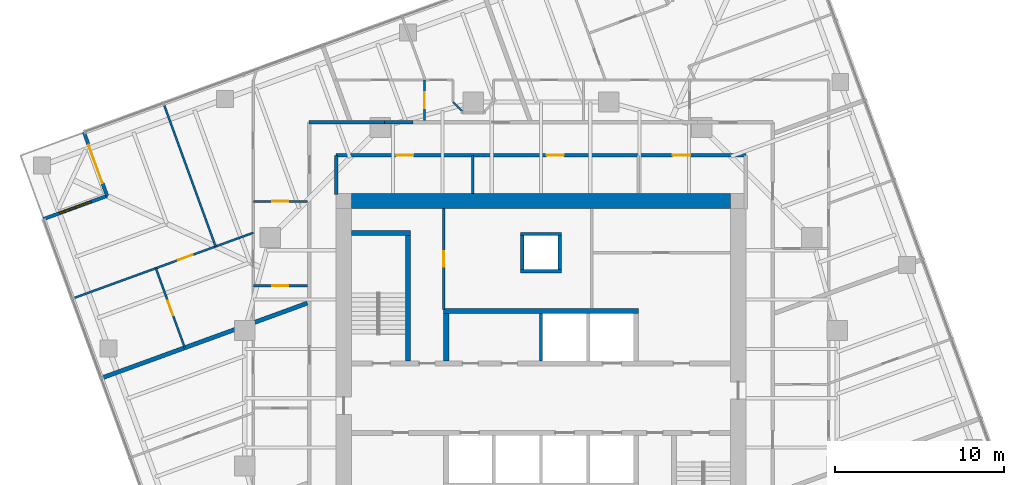
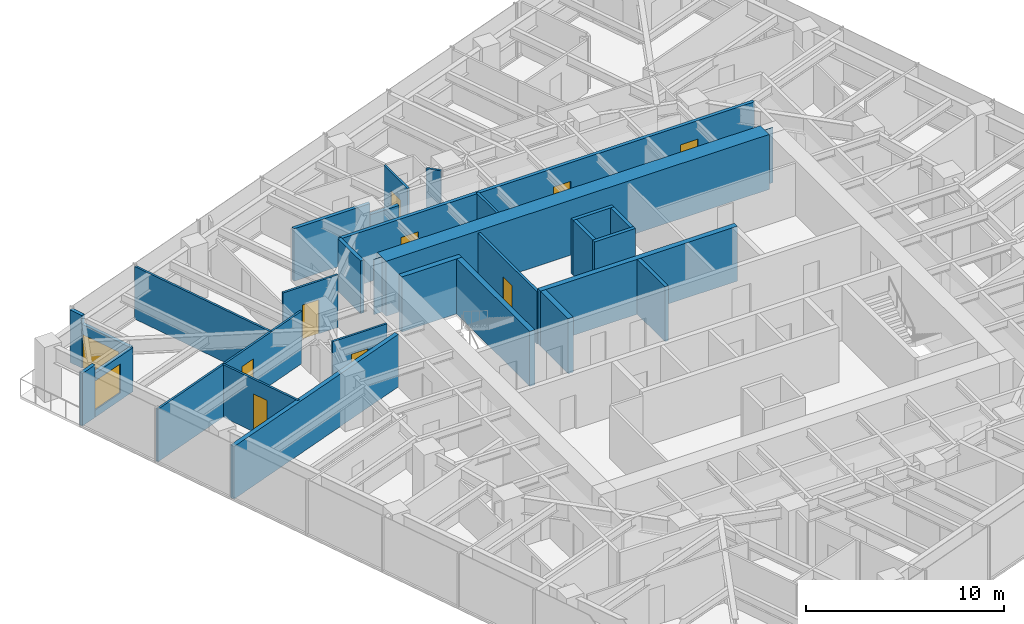
# One storey, part 10 of 13: 28 walls, 10 doors, 1 window, 11 openings.
"""IFC4 building model written with IfcOpenShell, lengths in metres."""

from ifc_helpers import new_model, si_unit, direction, frame, frame_2d, origin, place, context, subcontext, project, spatial, polyline, rectangle, outline, extrude, material, layer, layer_set, type_object, element, fill, save


model = new_model("IFC4")

# Units and contexts
model_context = context("Model", 3, precision=1e-05, world=origin(), true_north=direction((0.0, 1.0)))
body_context = subcontext(model_context, "Body", "Model", "MODEL_VIEW")
ifc_project = project(units=[si_unit("LENGTHUNIT", "METRE"), si_unit("AREAUNIT", "SQUARE_METRE"), si_unit("VOLUMEUNIT", "CUBIC_METRE"), si_unit("PLANEANGLEUNIT", "RADIAN"), si_unit("MASSUNIT", "GRAM", prefix="KILO")], contexts=[model_context])

# Site, building, storey
site_placement = place(None, origin())
site = spatial("IfcSite", under=ifc_project, at=site_placement, CompositionType="ELEMENT")
building_placement = place(site_placement, origin())
building = spatial("IfcBuilding", under=site, at=building_placement, Name="Torsade Residences", CompositionType="ELEMENT")
storey_placement = place(building_placement, frame((0.0, 0.0, 143.800048828125)))
storey = spatial("IfcBuildingStorey", under=building, at=storey_placement, Name="L39", CompositionType="ELEMENT", Elevation=143.800048828125)

# Walls
ifc_material_1 = material(Name="Concrete 80 MPa", Category="concrete")
ifc_layer_1 = layer(ifc_material_1, 0.300048828125)
ifc_layer_set_1 = layer_set([ifc_layer_1], Name="Concrete 80 MPa")
wall_type_1 = type_object("IfcWallType", Name="CORE INTERNAL WALL 300", PredefinedType="SHEAR", material=ifc_layer_set_1)
wall_1_placement = place(storey_placement, frame((34.25, 35.14990234375, 0.0), z_axis=(0.0, 0.0, 1.0), x_axis=(1.0, 0.0, 0.0)))
element("IfcWall", 1, at=wall_1_placement, inside=storey, type_object=wall_type_1, Name="Core wall BN L39", PredefinedType="SHEAR", context=body_context, shape_type="SweptSolid", body=[
    extrude(rectangle(XDim=11.5, YDim=0.300048828125, at=frame_2d((5.75, 0.0))), origin(), (0.0, 0.0, 1.0), 3.39990234375),
])
wall_2_placement = place(storey_placement, frame((34.39990234375, 32.199951171875, 0.0), z_axis=(0.0, 0.0, 1.0), x_axis=(0.0, 1.0, 0.0)))
element("IfcWall", 2, at=wall_2_placement, inside=storey, type_object=wall_type_1, Name="Core wall DN0 L39", PredefinedType="SHEAR", context=body_context, shape_type="SweptSolid", body=[
    extrude(rectangle(XDim=2.800048828125, YDim=0.300048828125, at=frame_2d((1.39990234375, 0.0))), origin(), (0.0, 0.0, 1.0), 3.39990234375),
])
wall_3_placement = place(storey_placement, frame((32.14990234375, 32.199951171875, 0.0), z_axis=(0.0, 0.0, 1.0), x_axis=(0.0, 1.0, 0.0)))
element("IfcWall", 3, at=wall_3_placement, inside=storey, type_object=wall_type_1, Name="Core wall ST1E L39", PredefinedType="SHEAR", context=body_context, shape_type="SweptSolid", body=[
    extrude(rectangle(XDim=7.699951171875, YDim=0.300048828125, at=frame_2d((3.85009765625, 0.0))), origin(), (0.0, 0.0, 1.0), 3.39990234375),
])
wall_4_placement = place(storey_placement, frame((28.800048828125, 39.75, 0.0), z_axis=(0.0, 0.0, 1.0), x_axis=(1.0, 0.0, 0.0)))
element("IfcWall", 4, at=wall_4_placement, inside=storey, type_object=wall_type_1, Name="Core wall ST1N L39", PredefinedType="SHEAR", context=body_context, shape_type="SweptSolid", body=[
    extrude(rectangle(XDim=3.5, YDim=0.300048828125, at=frame_2d((1.75, 0.0))), origin(), (0.0, 0.0, 1.0), 3.39990234375),
])
ifc_material_2 = material(Name="Concrete 80 MPa", Category="concrete")
ifc_layer_2 = layer(ifc_material_2, 0.89990234375)
ifc_layer_set_2 = layer_set([ifc_layer_2], Name="Concrete 80 MPa")
wall_type_2 = type_object("IfcWallType", Name="CORE WALL 900", PredefinedType="SHEAR", material=ifc_layer_set_2)
wall_5_placement = place(storey_placement, frame((28.800048828125, 41.64990234375, 0.0), z_axis=(0.0, 0.0, 1.0), x_axis=(1.0, 0.0, 0.0)))
element("IfcWall", 5, at=wall_5_placement, inside=storey, type_object=wall_type_2, Name="Core wall N L39", PredefinedType="SHEAR", context=body_context, shape_type="SweptSolid", body=[
    extrude(outline(polyline([(0.0, -0.449951171875), (22.39990234375, -0.449951171875), (22.39990234375, -0.02490234375), (22.849853515625, -0.02490234375), (22.849853515625, 0.02490234375), (22.39990234375, 0.02490234375), (22.39990234375, 0.449951171875), (0.0, 0.449951171875), (0.0, 0.02490234375), (-0.449951171875, 0.02490234375), (-0.449951171875, -0.02490234375), (0.0, -0.02490234375), (0.0, -0.449951171875)])), origin(), (0.0, 0.0, 1.0), 3.39990234375),
])
ifc_material_3 = material(Name="Plasterboard on steel stud", Category="steel")
ifc_layer_3 = layer(ifc_material_3, 0.199951171875)
ifc_layer_set_3 = layer_set([ifc_layer_3], Name="Plasterboard on steel stud")
wall_type_3 = type_object("IfcWallType", Name="CORRIDOR WALL 200", PredefinedType="PARTITIONING", material=ifc_layer_set_3)
wall_6_placement = place(storey_placement, frame((32.441650390625, 46.300048828125, 0.0), z_axis=(0.0, 0.0, 1.0), x_axis=(-1.0, 0.0, 0.0)))
element("IfcWall", 6, at=wall_6_placement, inside=storey, type_object=wall_type_3, Name="Corridor wall L39", PredefinedType="PARTITIONING", context=body_context, shape_type="SweptSolid", body=[
    extrude(rectangle(XDim=1.683349609375, YDim=0.199951171875, at=frame_2d((0.841796875, 0.0))), origin(), (0.0, 0.0, 1.0), 2.550048828125),
])
wall_7_placement = place(storey_placement, frame((30.75830078125, 46.300048828125, 0.0), z_axis=(0.0, 0.0, 1.0), x_axis=(-1.0, 0.0, 0.0)))
element("IfcWall", 7, at=wall_7_placement, inside=storey, type_object=wall_type_3, Name="Corridor wall L39", PredefinedType="PARTITIONING", context=body_context, shape_type="SweptSolid", body=[
    extrude(rectangle(XDim=4.458251953125, YDim=0.199951171875, at=frame_2d((2.22900390625, 0.0))), origin(), (0.0, 0.0, 1.0), 3.25),
])

# Wall, openings, doors
wall_8_placement = place(storey_placement, frame((52.10009765625, 44.35009765625, 0.0), z_axis=(0.0, 0.0, 1.0), x_axis=(-1.0, 0.0, 0.0)))
wall_8 = element("IfcWall", 8, at=wall_8_placement, inside=storey, type_object=wall_type_3, Name="Corridor wall L39", PredefinedType="PARTITIONING", context=body_context, shape_type="SweptSolid", body=[
    extrude(rectangle(XDim=24.2001953125, YDim=0.199951171875, at=frame_2d((12.10009765625, 0.0))), origin(), (0.0, 0.0, 1.0), 3.25),
])
opening_1_placement = place(wall_8_placement, frame((10.742919921875, 0.0, 0.0)))
opening_1 = element("IfcOpeningElement", 9, at=opening_1_placement, cuts=wall_8, Name="Opening D03", PredefinedType="OPENING", context=body_context, shape_type="SweptSolid", body=[
    extrude(rectangle(XDim=1.02001953125, YDim=2.10009765625, at=frame_2d((0.510009765625, 1.050048828125))), frame((0.0, 0.10986328125, 0.0), z_axis=(0.0, -1.0, 0.0), x_axis=(1.0, 0.0, 0.0)), (0.0, 0.0, 1.0), 0.219970703125),
])
opening_2_placement = place(wall_8_placement, frame((19.6357421875, 0.0, 0.0)))
opening_2 = element("IfcOpeningElement", 10, at=opening_2_placement, cuts=wall_8, Name="Opening D03", PredefinedType="OPENING", context=body_context, shape_type="SweptSolid", body=[
    extrude(rectangle(XDim=1.02001953125, YDim=2.10009765625, at=frame_2d((0.510009765625, 1.050048828125))), frame((0.0, 0.10986328125, 0.0), z_axis=(0.0, -1.0, 0.0), x_axis=(1.0, 0.0, 0.0)), (0.0, 0.0, 1.0), 0.219970703125),
])
opening_3_placement = place(wall_8_placement, frame((3.29736328125, 0.0, 0.0)))
opening_3 = element("IfcOpeningElement", 11, at=opening_3_placement, cuts=wall_8, Name="Opening D03", PredefinedType="OPENING", context=body_context, shape_type="SweptSolid", body=[
    extrude(rectangle(XDim=1.02001953125, YDim=2.10009765625, at=frame_2d((0.510009765625, 1.050048828125))), frame((0.0, 0.10986328125, 0.0), z_axis=(0.0, -1.0, 0.0), x_axis=(1.0, 0.0, 0.0)), (0.0, 0.0, 1.0), 0.219970703125),
])
ifc_material_4 = material(Name="Steel-framed fire door", Category="steel")
door_type_1 = type_object("IfcDoorType", Name="FIRE DOOR 1020", OperationType="NOTDEFINED", PredefinedType="DOOR", material=ifc_material_4)
door_1_placement = place(opening_1_placement, origin())
door_1 = element("IfcDoor", 12, at=door_1_placement, inside=storey, type_object=door_type_1, Name="Door Residential corridor to Residents storage", OperationType="SINGLE_SWING_LEFT", OverallHeight=2.10009765625, OverallWidth=1.02001953125, PredefinedType="DOOR", context=body_context, shape_type="SweptSolid", body=[
    extrude(rectangle(XDim=1.02001953125, YDim=2.10009765625, at=frame_2d((0.510009765625, 1.050048828125))), frame((0.0, 0.02490234375, 0.0), z_axis=(0.0, -1.0, 0.0), x_axis=(1.0, 0.0, 0.0)), (0.0, 0.0, 1.0), 0.050048828125),
])
fill(opening_1, door_1)
door_2_placement = place(opening_2_placement, origin())
door_2 = element("IfcDoor", 13, at=door_2_placement, inside=storey, type_object=door_type_1, Name="Door Residential corridor to Bulk store", OperationType="SINGLE_SWING_LEFT", OverallHeight=2.10009765625, OverallWidth=1.02001953125, PredefinedType="DOOR", context=body_context, shape_type="SweptSolid", body=[
    extrude(rectangle(XDim=1.02001953125, YDim=2.10009765625, at=frame_2d((0.510009765625, 1.050048828125))), frame((0.0, 0.02490234375, 0.0), z_axis=(0.0, -1.0, 0.0), x_axis=(1.0, 0.0, 0.0)), (0.0, 0.0, 1.0), 0.050048828125),
])
fill(opening_2, door_2)
door_3_placement = place(opening_3_placement, origin())
door_3 = element("IfcDoor", 14, at=door_3_placement, inside=storey, type_object=door_type_1, Name="Door Residential corridor to Parcel room", OperationType="SINGLE_SWING_RIGHT", OverallHeight=2.10009765625, OverallWidth=1.02001953125, PredefinedType="DOOR", context=body_context, shape_type="SweptSolid", body=[
    extrude(rectangle(XDim=1.02001953125, YDim=2.10009765625, at=frame_2d((0.510009765625, 1.050048828125))), frame((0.0, 0.02490234375, 0.0), z_axis=(0.0, -1.0, 0.0), x_axis=(1.0, 0.0, 0.0)), (0.0, 0.0, 1.0), 0.050048828125),
])
fill(opening_3, door_3)

# Walls
wall_9_placement = place(storey_placement, frame((27.89990234375, 44.35009765625, 0.0), z_axis=(0.0, 0.0, 1.0), x_axis=(0.0, -1.0, 0.0)))
element("IfcWall", 15, at=wall_9_placement, inside=storey, type_object=wall_type_3, Name="Corridor wall L39", PredefinedType="PARTITIONING", context=body_context, shape_type="SweptSolid", body=[
    extrude(rectangle(XDim=2.300048828125, YDim=0.199951171875, at=frame_2d((1.14990234375, 0.0))), origin(), (0.0, 0.0, 1.0), 3.25),
])
ifc_material_5 = material(Name="Reinforced blockwork", Category="masonry")
ifc_layer_4 = layer(ifc_material_5, 0.199951171875)
ifc_layer_set_4 = layer_set([ifc_layer_4], Name="Reinforced blockwork")
wall_type_4 = type_object("IfcWallType", Name="LIFT SHAFT DIVIDING WALL 200", PredefinedType="SOLIDWALL", material=ifc_layer_set_4)
wall_10_placement = place(storey_placement, frame((40.0, 32.199951171875, 0.0), z_axis=(0.0, 0.0, 1.0), x_axis=(0.0, 1.0, 0.0)))
element("IfcWall", 16, at=wall_10_placement, inside=storey, type_object=wall_type_4, Name="Core wall DN2 L39", PredefinedType="SOLIDWALL", context=body_context, shape_type="SweptSolid", body=[
    extrude(rectangle(XDim=2.800048828125, YDim=0.199951171875, at=frame_2d((1.39990234375, 0.0))), origin(), (0.0, 0.0, 1.0), 3.39990234375),
])
ifc_material_6 = material(Name="Plasterboard on steel stud", Category="steel")
ifc_layer_5 = layer(ifc_material_6, 0.1201171875)
ifc_layer_set_5 = layer_set([ifc_layer_5], Name="Plasterboard on steel stud")
wall_type_5 = type_object("IfcWallType", Name="PARTITION 120", PredefinedType="PARTITIONING", material=ifc_layer_set_5)
wall_11_placement = place(storey_placement, frame((34.800048828125, 47.5, 0.0), z_axis=(0.0, 0.0, 1.0), x_axis=(0.707106781187, -0.707106781187, 0.0)))
element("IfcWall", 17, at=wall_11_placement, inside=storey, type_object=wall_type_5, Name="Partition L39", PredefinedType="PARTITIONING", context=body_context, shape_type="SweptSolid", body=[
    extrude(rectangle(XDim=0.77783203125, YDim=0.1201171875, at=frame_2d((0.388916015625, 0.0))), origin(), (0.0, 0.0, 1.0), 3.25),
])

# Wall, opening, door
wall_12_placement = place(storey_placement, frame((33.111572265625, 46.39990234375, 0.0), z_axis=(0.0, 0.0, 1.0), x_axis=(0.0, 1.0, 0.0)))
wall_12 = element("IfcWall", 18, at=wall_12_placement, inside=storey, type_object=wall_type_5, Name="Partition L39", PredefinedType="PARTITIONING", context=body_context, shape_type="SweptSolid", body=[
    extrude(rectangle(XDim=2.400146484375, YDim=0.1201171875, at=frame_2d((1.2001953125, 0.0))), origin(), (0.0, 0.0, 1.0), 3.25),
])
opening_4_placement = place(wall_12_placement, frame((0.719970703125, 0.0, 0.0)))
opening_4 = element("IfcOpeningElement", 19, at=opening_4_placement, cuts=wall_12, Name="Opening D05", PredefinedType="OPENING", context=body_context, shape_type="SweptSolid", body=[
    extrude(rectangle(XDim=0.9599609375, YDim=2.10009765625, at=frame_2d((0.47998046875, 1.050048828125))), frame((0.0, 0.070068359375, 0.0), z_axis=(0.0, -1.0, 0.0), x_axis=(1.0, 0.0, 0.0)), (0.0, 0.0, 1.0), 0.14013671875),
])
ifc_material_7 = material(Name="Hollow-core timber door in a steel cavity frame", Category="steel")
door_type_2 = type_object("IfcDoorType", Name="BATHROOM CAVITY SLIDING DOOR 960", OperationType="SLIDING_TO_LEFT", PredefinedType="DOOR", material=ifc_material_7)
door_4_placement = place(opening_4_placement, origin())
door_4 = element("IfcDoor", 20, at=door_4_placement, inside=storey, type_object=door_type_2, Name="Door Kitchen and dining to Bathroom", OperationType="SLIDING_TO_LEFT", OverallHeight=2.10009765625, OverallWidth=0.9599609375, PredefinedType="DOOR", context=body_context, shape_type="SweptSolid", body=[
    extrude(rectangle(XDim=0.9599609375, YDim=2.10009765625, at=frame_2d((0.47998046875, 1.050048828125))), frame((0.0, 0.02490234375, 0.0), z_axis=(0.0, -1.0, 0.0), x_axis=(1.0, 0.0, 0.0)), (0.0, 0.0, 1.0), 0.050048828125),
])
fill(opening_4, door_4)

wall_13_placement = place(storey_placement, frame((26.199951171875, 41.633544921875, 0.0), z_axis=(0.0, 0.0, 1.0), x_axis=(-1.0, 0.0, 0.0)))
wall_13 = element("IfcWall", 21, at=wall_13_placement, inside=storey, type_object=wall_type_5, Name="Partition L39", PredefinedType="PARTITIONING", context=body_context, shape_type="SweptSolid", body=[
    extrude(rectangle(XDim=3.199951171875, YDim=0.1201171875, at=frame_2d((1.60009765625, 0.0))), origin(), (0.0, 0.0, 1.0), 3.25),
])
opening_5_placement = place(wall_13_placement, frame((1.1201171875, 0.0, 0.0)))
opening_5 = element("IfcOpeningElement", 22, at=opening_5_placement, cuts=wall_13, Name="Opening D05", PredefinedType="OPENING", context=body_context, shape_type="SweptSolid", body=[
    extrude(rectangle(XDim=0.9599609375, YDim=2.10009765625, at=frame_2d((0.47998046875, 1.050048828125))), frame((0.0, 0.070068359375, 0.0), z_axis=(0.0, -1.0, 0.0), x_axis=(1.0, 0.0, 0.0)), (0.0, 0.0, 1.0), 0.14013671875),
])
door_5_placement = place(opening_5_placement, origin())
door_5 = element("IfcDoor", 23, at=door_5_placement, inside=storey, type_object=door_type_2, Name="Door Kitchen and dining to Bathroom", OperationType="SLIDING_TO_LEFT", OverallHeight=2.10009765625, OverallWidth=0.9599609375, PredefinedType="DOOR", context=body_context, shape_type="SweptSolid", body=[
    extrude(rectangle(XDim=0.9599609375, YDim=2.10009765625, at=frame_2d((0.47998046875, 1.050048828125))), frame((0.0, 0.02490234375, 0.0), z_axis=(0.0, -1.0, 0.0), x_axis=(1.0, 0.0, 0.0)), (0.0, 0.0, 1.0), 0.050048828125),
])
fill(opening_5, door_5)

wall_14_placement = place(storey_placement, frame((26.199951171875, 36.64453125, 0.0), z_axis=(0.0, 0.0, 1.0), x_axis=(-1.0, 0.0, 0.0)))
wall_14 = element("IfcWall", 24, at=wall_14_placement, inside=storey, type_object=wall_type_5, Name="Partition L39", PredefinedType="PARTITIONING", context=body_context, shape_type="SweptSolid", body=[
    extrude(rectangle(XDim=3.199951171875, YDim=0.1201171875, at=frame_2d((1.60009765625, 0.0))), origin(), (0.0, 0.0, 1.0), 3.25),
])
opening_6_placement = place(wall_14_placement, frame((1.1201171875, 0.0, 0.0)))
opening_6 = element("IfcOpeningElement", 25, at=opening_6_placement, cuts=wall_14, Name="Opening D05", PredefinedType="OPENING", context=body_context, shape_type="SweptSolid", body=[
    extrude(rectangle(XDim=0.9599609375, YDim=2.10009765625, at=frame_2d((0.47998046875, 1.050048828125))), frame((0.0, 0.070068359375, 0.0), z_axis=(0.0, -1.0, 0.0), x_axis=(1.0, 0.0, 0.0)), (0.0, 0.0, 1.0), 0.14013671875),
])
door_6_placement = place(opening_6_placement, origin())
door_6 = element("IfcDoor", 26, at=door_6_placement, inside=storey, type_object=door_type_2, Name="Door Bathroom to Ensuite", OperationType="SLIDING_TO_LEFT", OverallHeight=2.10009765625, OverallWidth=0.9599609375, PredefinedType="DOOR", context=body_context, shape_type="SweptSolid", body=[
    extrude(rectangle(XDim=0.9599609375, YDim=2.10009765625, at=frame_2d((0.47998046875, 1.050048828125))), frame((0.0, 0.02490234375, 0.0), z_axis=(0.0, -1.0, 0.0), x_axis=(1.0, 0.0, 0.0)), (0.0, 0.0, 1.0), 0.050048828125),
])
fill(opening_6, door_6)

# Wall
wall_15_placement = place(storey_placement, frame((17.709716796875, 47.384765625, 0.0), z_axis=(0.0, 0.0, 1.0), x_axis=(0.342038393654, -0.939685978009, 0.0)))
element("IfcWall", 27, at=wall_15_placement, inside=storey, type_object=wall_type_5, Name="Partition L39", PredefinedType="PARTITIONING", context=body_context, shape_type="SweptSolid", body=[
    extrude(rectangle(XDim=8.960205078125, YDim=0.1201171875, at=frame_2d((4.47998046875, 0.0))), origin(), (0.0, 0.0, 1.0), 3.25),
])

# Wall, opening, door
wall_16_placement = place(storey_placement, frame((23.0, 39.775146484375, 0.0), z_axis=(0.0, 0.0, 1.0), x_axis=(-0.939693965364, -0.342016449105, 0.0)))
wall_16 = element("IfcWall", 28, at=wall_16_placement, inside=storey, type_object=wall_type_5, Name="Partition L39", PredefinedType="PARTITIONING", context=body_context, shape_type="SweptSolid", body=[
    extrude(rectangle(XDim=11.328369140625, YDim=0.1201171875, at=frame_2d((5.6640625, 0.0))), origin(), (0.0, 0.0, 1.0), 3.25),
])
opening_7_placement = place(wall_16_placement, frame((3.812255859375, 0.0, 0.0)))
opening_7 = element("IfcOpeningElement", 29, at=opening_7_placement, cuts=wall_16, Name="Opening D02", PredefinedType="OPENING", context=body_context, shape_type="SweptSolid", body=[
    extrude(rectangle(XDim=0.919921875, YDim=2.340087890625, at=frame_2d((0.4599609375, 1.169921875))), frame((0.0, 0.070068359375, 0.0), z_axis=(0.0, -1.0, 0.0), x_axis=(1.0, 0.0, 0.0)), (0.0, 0.0, 1.0), 0.14013671875),
])
ifc_material_8 = material(Name="Hollow-core timber door", Category="wood")
door_type_3 = type_object("IfcDoorType", Name="INTERNAL DOOR 920x2340", OperationType="NOTDEFINED", PredefinedType="DOOR", material=ifc_material_8)
door_7_placement = place(opening_7_placement, origin())
door_7 = element("IfcDoor", 30, at=door_7_placement, inside=storey, type_object=door_type_3, Name="Door Walk-in robe to Living room", OperationType="SINGLE_SWING_RIGHT", OverallHeight=2.340087890625, OverallWidth=0.919921875, PredefinedType="DOOR", context=body_context, shape_type="SweptSolid", body=[
    extrude(rectangle(XDim=0.919921875, YDim=2.340087890625, at=frame_2d((0.4599609375, 1.169921875))), frame((0.0, 0.02490234375, 0.0), z_axis=(0.0, -1.0, 0.0), x_axis=(1.0, 0.0, 0.0)), (0.0, 0.0, 1.0), 0.050048828125),
])
fill(opening_7, door_7)

wall_17_placement = place(storey_placement, frame((17.243408203125, 37.679931640625, 0.0), z_axis=(0.0, 0.0, 1.0), x_axis=(0.341993964619, -0.939702148643, 0.0)))
wall_17 = element("IfcWall", 31, at=wall_17_placement, inside=storey, type_object=wall_type_5, Name="Partition L39", PredefinedType="PARTITIONING", context=body_context, shape_type="SweptSolid", body=[
    extrude(rectangle(XDim=5.0, YDim=0.1201171875, at=frame_2d((2.5, 0.0))), origin(), (0.0, 0.0, 1.0), 3.25),
])
opening_8_placement = place(wall_17_placement, frame((2.0400390625, 0.0, 0.0)))
opening_8 = element("IfcOpeningElement", 32, at=opening_8_placement, cuts=wall_17, Name="Opening D02", PredefinedType="OPENING", context=body_context, shape_type="SweptSolid", body=[
    extrude(rectangle(XDim=0.919921875, YDim=2.340087890625, at=frame_2d((0.4599609375, 1.169921875))), frame((0.0, 0.070068359375, 0.0), z_axis=(0.0, -1.0, 0.0), x_axis=(1.0, 0.0, 0.0)), (0.0, 0.0, 1.0), 0.14013671875),
])
door_8_placement = place(opening_8_placement, origin())
door_8 = element("IfcDoor", 33, at=door_8_placement, inside=storey, type_object=door_type_3, Name="Door Walk-in robe to Bedroom 2", OperationType="SINGLE_SWING_RIGHT", OverallHeight=2.340087890625, OverallWidth=0.919921875, PredefinedType="DOOR", context=body_context, shape_type="SweptSolid", body=[
    extrude(rectangle(XDim=0.919921875, YDim=2.340087890625, at=frame_2d((0.4599609375, 1.169921875))), frame((0.0, 0.02490234375, 0.0), z_axis=(0.0, -1.0, 0.0), x_axis=(1.0, 0.0, 0.0)), (0.0, 0.0, 1.0), 0.050048828125),
])
fill(opening_8, door_8)

# Walls
ifc_material_9 = material(Name="Masonry-lined stud party wall", Category="masonry")
ifc_layer_6 = layer(ifc_material_9, 0.25)
ifc_layer_set_6 = layer_set([ifc_layer_6], Name="Masonry-lined stud party wall")
wall_type_6 = type_object("IfcWallType", Name="PARTY WALL 250", PredefinedType="PARTITIONING", material=ifc_layer_set_6)
wall_18_placement = place(storey_placement, frame((14.027099609375, 31.1884765625, 0.0), z_axis=(0.0, 0.0, 1.0), x_axis=(0.939692090592, 0.342021600019, 0.0)))
element("IfcWall", 34, at=wall_18_placement, inside=storey, type_object=wall_type_6, Name="Party wall L39", PredefinedType="PARTITIONING", context=body_context, shape_type="SweptSolid", body=[
    extrude(rectangle(XDim=12.94873046875, YDim=0.25, at=frame_2d((6.474365234375, 0.0))), origin(), (0.0, 0.0, 1.0), 3.25),
])
ifc_material_10 = material(Name="Reinforced blockwork", Category="masonry")
ifc_layer_7 = layer(ifc_material_10, 0.199951171875)
ifc_layer_set_7 = layer_set([ifc_layer_7], Name="Reinforced blockwork")
wall_type_7 = type_object("IfcWallType", Name="RISER SHAFT WALL 200", PredefinedType="SOLIDWALL", material=ifc_layer_set_7)
for number, where, z_axis, x_axis, name in (
    (35, (38.89990234375, 37.60009765625, 0.0), (0.0, 0.0, 1.0), (0.0, 1.0, 0.0), "Core wall RS1a L39"),
    (36, (41.10009765625, 37.60009765625, 0.0), (0.0, 0.0, 1.0), (0.0, 1.0, 0.0), "Core wall RS1b L39"),
):
    element("IfcWall", number, at=place(storey_placement, frame(where, z_axis=z_axis, x_axis=x_axis)), inside=storey, type_object=wall_type_7, Name=name, PredefinedType="SOLIDWALL", context=body_context, shape_type="SweptSolid", body=[
        extrude(rectangle(XDim=2.0, YDim=0.199951171875, at=frame_2d((1.0, 0.0))), origin(), (0.0, 0.0, 1.0), 3.39990234375),
    ])
for number, where, z_axis, x_axis, name in (
    (37, (38.800048828125, 37.5, 0.0), (0.0, 0.0, 1.0), (1.0, 0.0, 0.0), "Core wall RS1c L39"),
    (38, (38.800048828125, 39.699951171875, 0.0), (0.0, 0.0, 1.0), (1.0, 0.0, 0.0), "Core wall RS1d L39"),
):
    element("IfcWall", number, at=place(storey_placement, frame(where, z_axis=z_axis, x_axis=x_axis)), inside=storey, type_object=wall_type_7, Name=name, PredefinedType="SOLIDWALL", context=body_context, shape_type="SweptSolid", body=[
        extrude(rectangle(XDim=2.39990234375, YDim=0.199951171875, at=frame_2d((1.199951171875, 0.0))), origin(), (0.0, 0.0, 1.0), 3.39990234375),
    ])

# Wall, opening, door
ifc_material_11 = material(Name="Reinforced blockwork", Category="masonry")
ifc_layer_8 = layer(ifc_material_11, 0.14990234375)
ifc_layer_set_8 = layer_set([ifc_layer_8], Name="Reinforced blockwork")
wall_type_8 = type_object("IfcWallType", Name="SERVICE ROOM WALL 150", PredefinedType="SOLIDWALL", material=ifc_layer_set_8)
wall_19_placement = place(storey_placement, frame((34.25, 41.199951171875, 0.0), z_axis=(0.0, 0.0, 1.0), x_axis=(0.0, -1.0, 0.0)))
wall_19 = element("IfcWall", 39, at=wall_19_placement, inside=storey, type_object=wall_type_8, Name="Service room wall L39", PredefinedType="SOLIDWALL", context=body_context, shape_type="SweptSolid", body=[
    extrude(rectangle(XDim=5.949951171875, YDim=0.14990234375, at=frame_2d((2.97509765625, 0.0))), origin(), (0.0, 0.0, 1.0), 3.25),
])
opening_9_placement = place(wall_19_placement, frame((2.514892578125, 0.0, 0.0)))
opening_9 = element("IfcOpeningElement", 40, at=opening_9_placement, cuts=wall_19, Name="Opening D06", PredefinedType="OPENING", context=body_context, shape_type="SweptSolid", body=[
    extrude(rectangle(XDim=0.919921875, YDim=2.10009765625, at=frame_2d((0.4599609375, 1.050048828125))), frame((0.0, 0.0849609375, 0.0), z_axis=(0.0, -1.0, 0.0), x_axis=(1.0, 0.0, 0.0)), (0.0, 0.0, 1.0), 0.169921875),
])
ifc_material_12 = material(Name="Steel-framed fire door", Category="steel")
door_type_4 = type_object("IfcDoorType", Name="FIRE DOOR 920", OperationType="NOTDEFINED", PredefinedType="DOOR", material=ifc_material_12)
door_9_placement = place(opening_9_placement, origin())
door_9 = element("IfcDoor", 41, at=door_9_placement, inside=storey, type_object=door_type_4, Name="Door Main switchboard store to Electrical riser room", OperationType="SINGLE_SWING_LEFT", OverallHeight=2.10009765625, OverallWidth=0.919921875, PredefinedType="DOOR", context=body_context, shape_type="SweptSolid", body=[
    extrude(rectangle(XDim=0.919921875, YDim=2.10009765625, at=frame_2d((0.4599609375, 1.050048828125))), frame((0.0, 0.02490234375, 0.0), z_axis=(0.0, -1.0, 0.0), x_axis=(1.0, 0.0, 0.0)), (0.0, 0.0, 1.0), 0.050048828125),
])
fill(opening_9, door_9)

# Walls
wall_20_placement = place(storey_placement, frame((35.95849609375, 42.10009765625, 0.0), z_axis=(0.0, 0.0, 1.0), x_axis=(0.0, 1.0, 0.0)))
element("IfcWall", 42, at=wall_20_placement, inside=storey, type_object=wall_type_8, Name="Service room wall L39", PredefinedType="SOLIDWALL", context=body_context, shape_type="SweptSolid", body=[
    extrude(rectangle(XDim=2.25, YDim=0.14990234375, at=frame_2d((1.125, 0.0))), origin(), (0.0, 0.0, 1.0), 3.25),
])
ifc_material_13 = material(Name="Stone-faced precast concrete 40 MPa panel", Category="masonry")
ifc_layer_9 = layer(ifc_material_13, 0.199951171875)
ifc_layer_set_9 = layer_set([ifc_layer_9], Name="Stone-faced precast concrete 40 MPa panel")
wall_type_9 = type_object("IfcWallType", Name="TERRACE WALL 200", PredefinedType="SOLIDWALL", material=ifc_layer_set_9)
wall_21_placement = place(storey_placement, frame((12.99755859375, 45.712158203125, 0.0), z_axis=(0.0, 0.0, 1.0), x_axis=(0.342110593602, -0.939659694648, 0.0)))
element("IfcWall", 43, at=wall_21_placement, inside=storey, type_object=wall_type_9, Name="Terrace wall L39 8", PredefinedType="SOLIDWALL", context=body_context, shape_type="SweptSolid", body=[
    extrude(rectangle(XDim=0.800048828125, YDim=0.199951171875, at=frame_2d((0.39990234375, 0.0))), origin(), (0.0, 0.0, 1.0), 3.25),
])

# Wall, opening, door
wall_22_placement = place(storey_placement, frame((13.271240234375, 44.96044921875, 0.0), z_axis=(0.0, 0.0, 1.0), x_axis=(0.342018703306, -0.939693144909, 0.0)))
wall_22 = element("IfcWall", 44, at=wall_22_placement, inside=storey, type_object=wall_type_9, Name="Terrace wall L39 8", PredefinedType="SOLIDWALL", context=body_context, shape_type="SweptSolid", body=[
    extrude(rectangle(XDim=3.199951171875, YDim=0.199951171875, at=frame_2d((1.60009765625, 0.0))), origin(), (0.0, 0.0, 1.0), 2.721923828125),
])
opening_10_placement = place(wall_22_placement, origin())
opening_10 = element("IfcOpeningElement", 45, at=opening_10_placement, cuts=wall_22, Name="Opening D10A", PredefinedType="OPENING", context=body_context, shape_type="SweptSolid", body=[
    extrude(rectangle(XDim=2.39990234375, YDim=2.10009765625, at=frame_2d((1.199951171875, 1.050048828125))), frame((0.0, 0.10986328125, 0.0), z_axis=(0.0, -1.0, 0.0), x_axis=(1.0, 0.0, 0.0)), (0.0, 0.0, 1.0), 0.219970703125),
])
ifc_material_14 = material(Name="Aluminium-framed glass door", Category="aluminium")
door_type_5 = type_object("IfcDoorType", Name="TERRACE SLIDING DOOR 2400x2100", OperationType="SLIDING_TO_LEFT", PredefinedType="DOOR", material=ifc_material_14)
door_10_placement = place(opening_10_placement, origin())
door_10 = element("IfcDoor", 46, at=door_10_placement, inside=storey, type_object=door_type_5, Name="Terrace door L39 8", OperationType="SLIDING_TO_LEFT", OverallHeight=2.10009765625, OverallWidth=2.39990234375, PredefinedType="DOOR", context=body_context, shape_type="SweptSolid", body=[
    extrude(rectangle(XDim=2.39990234375, YDim=2.10009765625, at=frame_2d((1.199951171875, 1.050048828125))), frame((0.0, 0.02490234375, 0.0), z_axis=(0.0, -1.0, 0.0), x_axis=(1.0, 0.0, 0.0)), (0.0, 0.0, 1.0), 0.050048828125),
])
fill(opening_10, door_10)

# Wall, opening, window
wall_23_placement = place(storey_placement, frame((14.36572265625, 41.953369140625, 0.0), z_axis=(0.0, 0.0, 1.0), x_axis=(-0.939712609717, -0.341965219194, 0.0)))
wall_23 = element("IfcWall", 47, at=wall_23_placement, inside=storey, type_object=wall_type_9, Name="Terrace wall L39 9", PredefinedType="SOLIDWALL", context=body_context, shape_type="SweptSolid", body=[
    extrude(rectangle(XDim=3.0, YDim=0.199951171875, at=frame_2d((1.5, 0.0))), origin(), (0.0, 0.0, 1.0), 2.721923828125),
])
opening_11_placement = place(wall_23_placement, frame((1.0, 0.0, 0.449951171875)))
opening_11 = element("IfcOpeningElement", 48, at=opening_11_placement, cuts=wall_23, Name="Opening W1B", PredefinedType="OPENING", context=body_context, shape_type="SweptSolid", body=[
    extrude(rectangle(XDim=2.0, YDim=1.800048828125, at=frame_2d((1.0, 0.89990234375))), frame((0.0, 0.10986328125, 0.0), z_axis=(0.0, -1.0, 0.0), x_axis=(1.0, 0.0, 0.0)), (0.0, 0.0, 1.0), 0.219970703125),
])
ifc_material_15 = material(Name="Aluminium-framed glass window", Category="aluminium")
window_type = type_object("IfcWindowType", Name="TERRACE WINDOW 2000x1800", PartitioningType="SINGLE_PANEL", PredefinedType="WINDOW", material=ifc_material_15)
window_placement = place(opening_11_placement, origin())
window = element("IfcWindow", 49, at=window_placement, inside=storey, type_object=window_type, Name="Terrace window L39 9", OverallHeight=1.800048828125, OverallWidth=2.0, PartitioningType="SINGLE_PANEL", PredefinedType="WINDOW", context=body_context, shape_type="SweptSolid", body=[
    extrude(rectangle(XDim=2.0, YDim=1.800048828125, at=frame_2d((1.0, 0.89990234375))), frame((0.0, 0.030029296875, 0.0), z_axis=(0.0, -1.0, 0.0), x_axis=(1.0, 0.0, 0.0)), (0.0, 0.0, 1.0), 0.06005859375),
])
fill(opening_11, window)

# Wall
wall_24_placement = place(storey_placement, frame((11.546630859375, 40.927490234375, 0.0), z_axis=(0.0, 0.0, 1.0), x_axis=(-0.939686455819, -0.342037080957, 0.0)))
element("IfcWall", 50, at=wall_24_placement, inside=storey, type_object=wall_type_9, Name="Terrace wall L39 9", PredefinedType="SOLIDWALL", context=body_context, shape_type="SweptSolid", body=[
    extrude(rectangle(XDim=1.0, YDim=0.199951171875, at=frame_2d((0.5, 0.0))), origin(), (0.0, 0.0, 1.0), 3.25),
])

save(model, "model.ifc")
